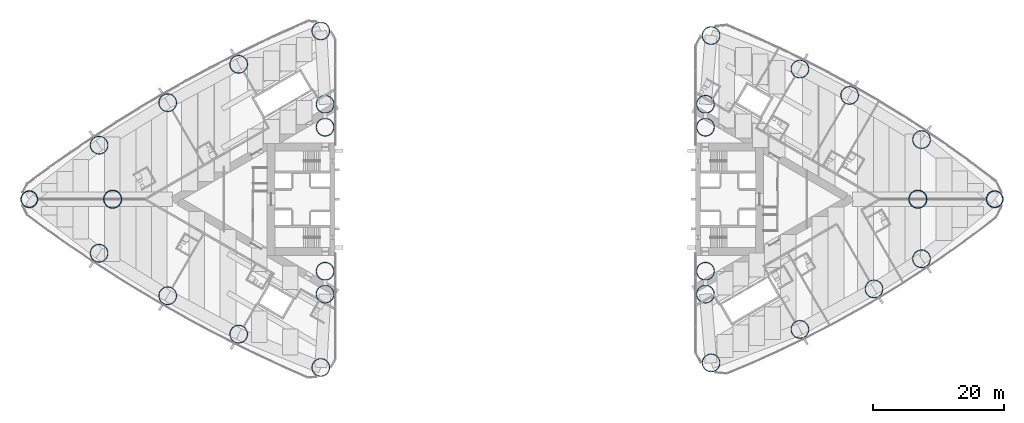
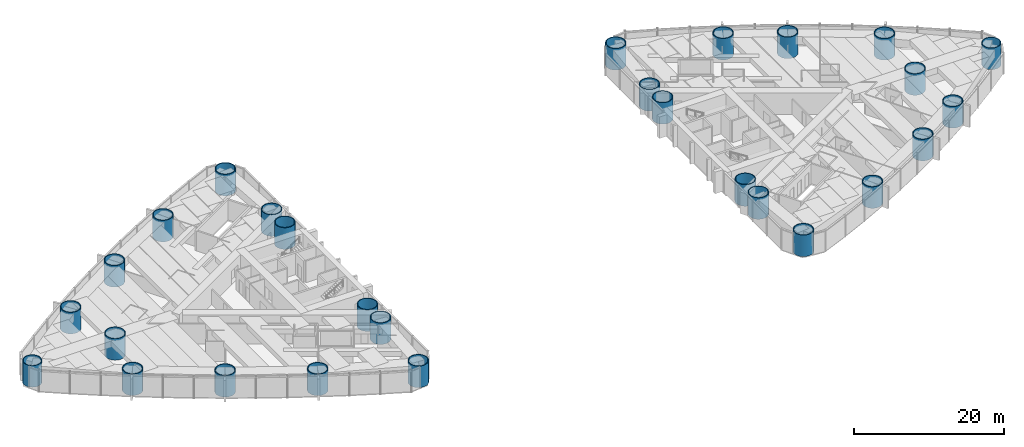
# One storey, part 1 of 18: 28 columns.
"""IFC4 building model written with IfcOpenShell, lengths in metres."""

from ifc_helpers import new_model, si_unit, direction, frame, origin, origin_2d, place, context, subcontext, project, spatial, hollow_circle, extrude, material, material_profile, profile_set, type_object, element, save


model = new_model("IFC4")

# Units and contexts
model_context = context("Model", 3, precision=1e-05, world=origin(), true_north=direction((0.0, 1.0)))
body_context = subcontext(model_context, "Body", "Model", "MODEL_VIEW")
ifc_project = project(units=[si_unit("LENGTHUNIT", "METRE"), si_unit("AREAUNIT", "SQUARE_METRE"), si_unit("VOLUMEUNIT", "CUBIC_METRE"), si_unit("PLANEANGLEUNIT", "RADIAN"), si_unit("MASSUNIT", "GRAM", prefix="KILO")], contexts=[model_context])

# Site, building, storey
site_placement = place(None, origin())
site = spatial("IfcSite", under=ifc_project, at=site_placement, CompositionType="ELEMENT")
building_placement = place(site_placement, origin())
building = spatial("IfcBuilding", under=site, at=building_placement, Name="Lancet Gate Hotel", CompositionType="ELEMENT")
storey_placement = place(building_placement, frame((0.0, 0.0, 56.5)))
storey = spatial("IfcBuildingStorey", under=building, at=storey_placement, Name="L14", CompositionType="ELEMENT", Elevation=56.5)

# Columns
ifc_material_1 = material(Name="Composite filled tube, grade 460 plate, grade 80/95 fill", Category="composite")
ifc_material_profile_1 = material_profile(ifc_material_1, hollow_circle(Radius=1.39990234375, WallThickness=0.10009765625, at=origin_2d()), Name="CHS 2800x100")
ifc_profile_set_1 = profile_set([ifc_material_profile_1], Name="Composite filled tube, grade 460 plate, grade 80/95 fill")
column_type_1 = type_object("IfcColumnType", Name="Apex column CFT CHS 2800x100", PredefinedType="COLUMN", material=ifc_profile_set_1)
for number, where, z_axis, x_axis, name in (
    (1, (-61.5, 0.0, 0.0), (0.0, 0.0, 1.0), (1.0, 0.0, 0.0), "T1 column AX L14"),
    (2, (61.5, 0.0, 0.0), (0.0, 0.0, 1.0), (1.0, 0.0, 0.0), "T2 column AX L14"),
):
    element("IfcColumn", number, at=place(storey_placement, frame(where, z_axis=z_axis, x_axis=x_axis)), inside=storey, type_object=column_type_1, Name=name, PredefinedType="COLUMN", context=body_context, shape_type="SweptSolid", body=[
        extrude(hollow_circle(Radius=1.39990234375, WallThickness=0.10009765625, at=origin_2d()), origin(), (0.0, 0.0, 1.0), 3.5),
    ])
ifc_material_2 = material(Name="Composite filled tube, grade 460 plate, grade 80/95 fill", Category="composite")
ifc_material_profile_2 = material_profile(ifc_material_2, hollow_circle(Radius=1.300048828125, WallThickness=0.10009765625, at=origin_2d()), Name="CHS 2600x100")
ifc_profile_set_2 = profile_set([ifc_material_profile_2], Name="Composite filled tube, grade 460 plate, grade 80/95 fill")
column_type_2 = type_object("IfcColumnType", Name="Apex corner column CFT CHS 2600x100", PredefinedType="COLUMN", material=ifc_profile_set_2)
for number, where, z_axis, x_axis, name in (
    (3, (-74.235107421875, 0.0, 0.0), (0.0, 0.0, 1.0), (1.0, 0.0, 0.0), "T1 column CA L14"),
    (4, (73.2392578125, 0.0, 0.0), (0.0, 0.0, 1.0), (1.0, 0.0, 0.0), "T2 column CA L14"),
):
    element("IfcColumn", number, at=place(storey_placement, frame(where, z_axis=z_axis, x_axis=x_axis)), inside=storey, type_object=column_type_2, Name=name, PredefinedType="COLUMN", context=body_context, shape_type="SweptSolid", body=[
        extrude(hollow_circle(Radius=1.300048828125, WallThickness=0.10009765625, at=origin_2d()), origin(), (0.0, 0.0, 1.0), 3.5),
    ])
ifc_material_3 = material(Name="Composite filled tube, grade 460 plate, grade 80/95 fill", Category="composite")
ifc_material_profile_3 = material_profile(ifc_material_3, hollow_circle(Radius=1.39990234375, WallThickness=0.1201171875, at=origin_2d()), Name="CHS 2800x120")
ifc_profile_set_3 = profile_set([ifc_material_profile_3], Name="Composite filled tube, grade 460 plate, grade 80/95 fill")
column_type_3 = type_object("IfcColumnType", Name="Perimeter column CFT CHS 2800x120", PredefinedType="COLUMN", material=ifc_profile_set_3)
for number, where, z_axis, x_axis, name in (
    (5, (-29.703369140625, -25.70263671875, 0.0), (0.0, 0.0, 1.0), (1.0, 0.0, 0.0), "T1 column CN L14"),
    (6, (-29.703369140625, 25.70263671875, 0.0), (0.0, 0.0, 1.0), (1.0, 0.0, 0.0), "T1 column CS L14"),
    (7, (-29.050048828125, -11.0, 0.0), (0.0, 0.0, 1.0), (1.0, 0.0, 0.0), "T1 column IN L14"),
    (8, (-29.050048828125, 11.0, 0.0), (0.0, 0.0, 1.0), (1.0, 0.0, 0.0), "T1 column IS L14"),
    (9, (-29.050048828125, 14.5, 0.0), (0.0, 0.0, 1.0), (1.0, 0.0, 0.0), "T1 column IT L14"),
    (10, (-29.050048828125, -14.5, 0.0), (0.0, 0.0, 1.0), (1.0, 0.0, 0.0), "T1 column JT L14"),
    (11, (-63.57177734375, -8.255126953125, 0.0), (0.0, 0.0, 1.0), (1.0, 0.0, 0.0), "T1 column ON1 L14"),
    (12, (-53.090087890625, -14.744873046875, 0.0), (0.0, 0.0, 1.0), (1.0, 0.0, 0.0), "T1 column ON2 L14"),
    (13, (-42.2451171875, -20.607421875, 0.0), (0.0, 0.0, 1.0), (1.0, 0.0, 0.0), "T1 column ON3 L14"),
    (14, (-42.2451171875, 20.607421875, 0.0), (0.0, 0.0, 1.0), (1.0, 0.0, 0.0), "T1 column OS1 L14"),
    (15, (-53.090087890625, 14.744873046875, 0.0), (0.0, 0.0, 1.0), (1.0, 0.0, 0.0), "T1 column OS2 L14"),
    (16, (-63.57177734375, 8.255126953125, 0.0), (0.0, 0.0, 1.0), (1.0, 0.0, 0.0), "T1 column OS3 L14"),
    (17, (29.9111328125, 25.00244140625, 0.0), (0.0, 0.0, 1.0), (1.0, 0.0, 0.0), "T2 column CN L14"),
    (18, (29.9111328125, -25.00244140625, 0.0), (0.0, 0.0, 1.0), (1.0, 0.0, 0.0), "T2 column CS L14"),
    (19, (29.050048828125, 11.0, 0.0), (0.0, 0.0, 1.0), (1.0, 0.0, 0.0), "T2 column IN L14"),
    (20, (29.050048828125, -11.0, 0.0), (0.0, 0.0, 1.0), (1.0, 0.0, 0.0), "T2 column IS L14"),
    (21, (29.050048828125, -14.5, 0.0), (0.0, 0.0, 1.0), (1.0, 0.0, 0.0), "T2 column IT L14"),
    (22, (29.050048828125, 14.5, 0.0), (0.0, 0.0, 1.0), (1.0, 0.0, 0.0), "T2 column JT L14"),
    (23, (62.059326171875, 9.10498046875, 0.0), (0.0, 0.0, 1.0), (1.0, 0.0, 0.0), "T2 column ON1 L14"),
    (24, (51.07763671875, 15.8583984375, 0.0), (0.0, 0.0, 1.0), (1.0, 0.0, 0.0), "T2 column ON2 L14"),
    (25, (43.484130859375, 19.886474609375, 0.0), (0.0, 0.0, 1.0), (1.0, 0.0, 0.0), "T2 column ON3 L14"),
    (26, (43.484130859375, -19.886474609375, 0.0), (0.0, 0.0, 1.0), (1.0, 0.0, 0.0), "T2 column OS1 L14"),
    (27, (54.795166015625, -13.70068359375, 0.0), (0.0, 0.0, 1.0), (1.0, 0.0, 0.0), "T2 column OS2 L14"),
    (28, (62.059326171875, -9.10498046875, 0.0), (0.0, 0.0, 1.0), (1.0, 0.0, 0.0), "T2 column OS3 L14"),
):
    element("IfcColumn", number, at=place(storey_placement, frame(where, z_axis=z_axis, x_axis=x_axis)), inside=storey, type_object=column_type_3, Name=name, PredefinedType="COLUMN", context=body_context, shape_type="SweptSolid", body=[
        extrude(hollow_circle(Radius=1.39990234375, WallThickness=0.1201171875, at=origin_2d()), origin(), (0.0, 0.0, 1.0), 3.5),
    ])

save(model, "model.ifc")
